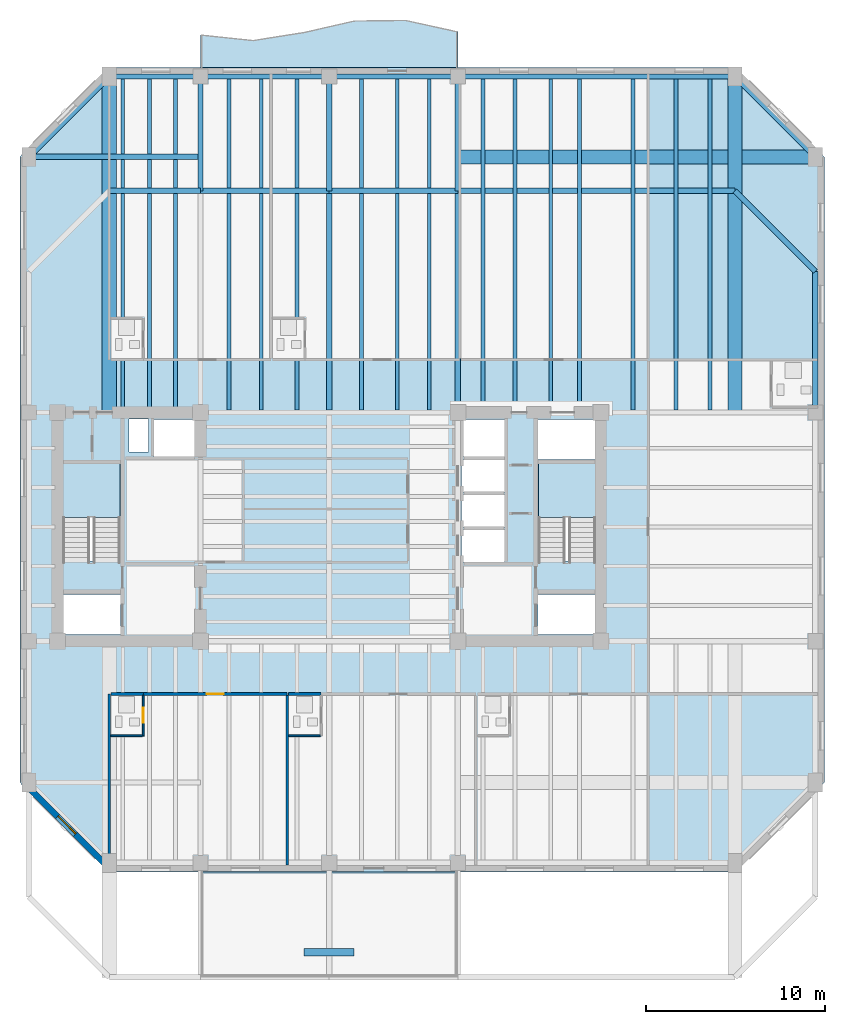
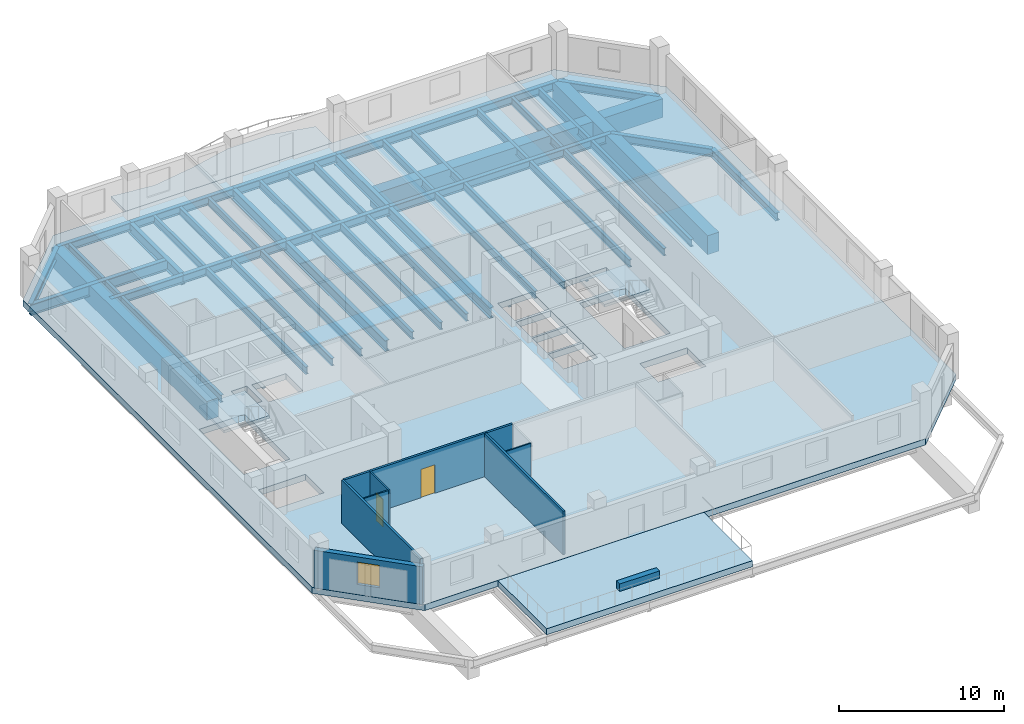
# One storey, part 2 of 10: 37 beams, 10 walls, 5 slabs, 2 doors, 1 window, 3 openings, 2 elements without a shape of their own.
"""IFC4 building model written with IfcOpenShell, lengths in metres."""

import ifcopenshell
import ifcopenshell.guid

model = None  # the IFC model being written
_history = None  # IfcOwnerHistory: only IFC2X3 demands one
_inside = {}  # id of a spatial element -> (the spatial element, [elements in it])
_under = {}  # id of a project, library or spatial element -> (it, [spatial elements below it])
_declared = {}  # id of a project -> (the project, [libraries it declares])
_typed = {}  # id of a type object -> (the type object, [elements of that type])
_made_of = {}  # id of a material, layer set ... -> (it, [elements and type objects made of it])


def new_model(schema):
    """Start an empty IFC model of exactly this schema.

    Asked for "IFC4X3", IfcOpenShell would pick the latest addendum, in which some entities
    have other attributes; the version numbers below select the first issue.
    IFC2X3 requires an IfcOwnerHistory on every rooted entity: one is made here for all.
    """
    global model, _history
    if schema == "IFC4X3":
        model = ifcopenshell.file(schema_version=(4, 3, 0, 0))
    else:
        model = ifcopenshell.file(schema=schema)
    _inside.clear()
    _under.clear()
    _declared.clear()
    _typed.clear()
    _made_of.clear()
    _history = None
    if model.schema == "IFC2X3":
        org = make("IfcOrganization", Name="unknown")
        user = make(
            "IfcPersonAndOrganization",
            ThePerson=make("IfcPerson", FamilyName="unknown"),
            TheOrganization=org,
        )
        app = make(
            "IfcApplication",
            ApplicationDeveloper=org,
            Version="unknown",
            ApplicationFullName="unknown",
            ApplicationIdentifier="unknown",
        )
        _history = make(
            "IfcOwnerHistory",
            OwningUser=user,
            OwningApplication=app,
            ChangeAction="ADDED",
            CreationDate=0,
        )
    return model


def make(cls, **values):
    """One entity of the class cls with the attributes given. An attribute that is None is left unset."""
    return model.create_entity(
        cls, **{name: value for name, value in values.items() if value is not None}
    )


def rooted(cls, **values):
    """An entity with a GlobalId (a new one), such as an element, a storey or a relation."""
    return make(cls, GlobalId=ifcopenshell.guid.new(), OwnerHistory=_history, **values)


def si_unit(unit_type, name, prefix=None):
    """IfcSIUnit, for example si_unit("LENGTHUNIT", "METRE", prefix="MILLI")."""
    return make("IfcSIUnit", UnitType=unit_type, Prefix=prefix, Name=name)


def assignment(units):
    """IfcUnitAssignment: the units of a project."""
    return None if units is None else make("IfcUnitAssignment", Units=units)


def point(xyz):
    """IfcCartesianPoint."""
    return None if xyz is None else make("IfcCartesianPoint", Coordinates=xyz)


def direction(xyz):
    """IfcDirection."""
    return None if xyz is None else make("IfcDirection", DirectionRatios=xyz)


def frame(location, z_axis=None, x_axis=None):
    """IfcAxis2Placement3D, a coordinate frame: its origin and axes. An axis left out is left unset."""
    return make(
        "IfcAxis2Placement3D",
        Location=point(location),
        Axis=direction(z_axis),
        RefDirection=direction(x_axis),
    )


def frame_2d(location, x_axis=None):
    """IfcAxis2Placement2D, a coordinate frame in the plane: its origin and x axis."""
    return make(
        "IfcAxis2Placement2D", Location=point(location), RefDirection=direction(x_axis)
    )


def origin():
    """The frame at (0, 0, 0) with its axes left unset."""
    return frame((0.0, 0.0, 0.0))


def origin_2d():
    """The frame at (0, 0) in the plane with its x axis left unset."""
    return frame_2d((0.0, 0.0))


def place(relative_to, where):
    """IfcLocalPlacement: puts the frame where relative to a parent placement (None: the world)."""
    return make(
        "IfcLocalPlacement", PlacementRelTo=relative_to, RelativePlacement=where
    )


def context(
    kind, dimensions, precision=None, world=None, true_north=None, identifier=None
):
    """IfcGeometricRepresentationContext, for example the 3D "Model" context."""
    return make(
        "IfcGeometricRepresentationContext",
        ContextIdentifier=identifier,
        ContextType=kind,
        CoordinateSpaceDimension=dimensions,
        Precision=precision,
        WorldCoordinateSystem=world,
        TrueNorth=true_north,
    )


def subcontext(parent, identifier, kind, view, scale=None):
    """IfcGeometricRepresentationSubContext, for example "Body" below "Model"."""
    return make(
        "IfcGeometricRepresentationSubContext",
        ContextIdentifier=identifier,
        ContextType=kind,
        ParentContext=parent,
        TargetScale=scale,
        TargetView=view,
    )


def project(units=None, contexts=None):
    """IfcProject with its units and contexts."""
    return rooted(
        "IfcProject",
        Name="project",
        RepresentationContexts=contexts,
        UnitsInContext=assignment(units),
    )


def spatial(cls, under=None, at=None, **own):
    """A site, building, storey or space (cls), placed at a placement, below another one or the project."""
    s = rooted(cls, ObjectPlacement=at, **own)
    if under is not None:
        _under.setdefault(under.id(), (under, []))[1].append(s)
    return s


def polyline(points):
    """IfcPolyline through the points."""
    return make("IfcPolyline", Points=[point(p) for p in points])


def profile(cls, at=None, kind="AREA", **sizes):
    """A parametric profile (cls). Its sizes go by their IFC names, for example OverallWidth=200.0."""
    return make(cls, ProfileType=kind, Position=at, **sizes)


def rectangle(**sizes):
    """IfcRectangleProfileDef."""
    return profile("IfcRectangleProfileDef", **sizes)


def i_section(**sizes):
    """IfcIShapeProfileDef."""
    return profile("IfcIShapeProfileDef", **sizes)


def outline(outer, holes=None, kind="AREA"):
    """IfcArbitraryClosedProfileDef: a profile drawn as a closed curve; with holes, ...WithVoids."""
    if holes is None:
        return make("IfcArbitraryClosedProfileDef", ProfileType=kind, OuterCurve=outer)
    return make(
        "IfcArbitraryProfileDefWithVoids",
        ProfileType=kind,
        OuterCurve=outer,
        InnerCurves=holes,
    )


def extrude(swept, where, along, depth):
    """IfcExtrudedAreaSolid: the profile swept, set in the frame where, extruded along a direction by depth."""
    return make(
        "IfcExtrudedAreaSolid",
        SweptArea=swept,
        Position=where,
        ExtrudedDirection=direction(along),
        Depth=depth,
    )


def shape(context_of_items, identifier, shape_type, items):
    """IfcShapeRepresentation: the items that make up one representation, for example the "Body"."""
    return make(
        "IfcShapeRepresentation",
        ContextOfItems=context_of_items,
        RepresentationIdentifier=identifier,
        RepresentationType=shape_type,
        Items=items,
    )


def material(Name=None, Category=None):
    """IfcMaterial."""
    return make("IfcMaterial", Name=Name, Category=Category)


def layer(
    of_material, thickness, ventilated=None, Name=None, Category=None, Priority=None
):
    """IfcMaterialLayer: one layer of a wall or slab, of a material (None: an air gap)."""
    return make(
        "IfcMaterialLayer",
        Material=of_material,
        LayerThickness=thickness,
        IsVentilated=ventilated,
        Name=Name,
        Category=Category,
        Priority=Priority,
    )


def layer_set(layers, Name=None):
    """IfcMaterialLayerSet."""
    return make("IfcMaterialLayerSet", MaterialLayers=layers, LayerSetName=Name)


def material_profile(
    of_material, cross_section, Name=None, Category=None, Priority=None
):
    """IfcMaterialProfile: a cross section and its material."""
    return make(
        "IfcMaterialProfile",
        Name=Name,
        Material=of_material,
        Profile=cross_section,
        Priority=Priority,
        Category=Category,
    )


def profile_set(profiles, Name=None, composite=None):
    """IfcMaterialProfileSet."""
    return make(
        "IfcMaterialProfileSet",
        Name=Name,
        MaterialProfiles=profiles,
        CompositeProfile=composite,
    )


def made_of(thing, what):
    """Note that an element or type object is made of a material, layer set ...; save() writes the relation."""
    if what is not None:
        _made_of.setdefault(what.id(), (what, []))[1].append(thing)
    return thing


def type_object(cls, material=None, **own):
    """A type object (cls), such as IfcWallType, which elements share."""
    return made_of(rooted(cls, **own), material)


def element(
    cls,
    number,
    at=None,
    inside=None,
    cuts=None,
    type_object=None,
    material=None,
    context=None,
    identifier="Body",
    shape_type=None,
    held_by="IfcProductDefinitionShape",
    body=None,
    shapes=None,
    **own,
):
    """One element of the class cls, such as IfcWall. Its Tag is "e" and its number.

    at: its placement. inside: the storey or other place that contains it. cuts: it is an
    opening in that element (IfcRelVoidsElement). A single representation is given by context,
    identifier, shape_type and body (its items); several are given by shapes. held_by: the class
    of the entity that holds the representations. save() writes the other relations.
    """
    e = rooted(cls, Tag="e%d" % number, ObjectPlacement=at, **own)
    if body is not None:
        shapes = [shape(context, identifier, shape_type, body)]
    if shapes is not None:
        e.Representation = make(held_by, Representations=shapes)
    if inside is not None:
        _inside.setdefault(inside.id(), (inside, []))[1].append(e)
    if cuts is not None:
        rooted(
            "IfcRelVoidsElement", RelatingBuildingElement=cuts, RelatedOpeningElement=e
        )
    if type_object is not None:
        _typed.setdefault(type_object.id(), (type_object, []))[1].append(e)
    return made_of(e, material)


def fill(opening, filler):
    """IfcRelFillsElement: the door or window that sits in an opening."""
    return rooted(
        "IfcRelFillsElement",
        RelatingOpeningElement=opening,
        RelatedBuildingElement=filler,
    )


def aggregate(whole, parts):
    """IfcRelAggregates: a whole, such as a stair, and the parts it consists of."""
    return rooted("IfcRelAggregates", RelatingObject=whole, RelatedObjects=parts)


def save(model, path):
    """Write the relations noted so far, then the file.

    IfcRelAggregates (storeys below a building ...), IfcRelContainedInSpatialStructure (elements
    in a storey), IfcRelDefinesByType, IfcRelAssociatesMaterial and IfcRelDeclares: one each for
    every whole, place, type object, material and project.
    """
    for whole, parts in _under.values():
        aggregate(whole, parts)
    for where, things in _inside.values():
        rooted(
            "IfcRelContainedInSpatialStructure",
            RelatedElements=things,
            RelatingStructure=where,
        )
    for kind, things in _typed.values():
        rooted("IfcRelDefinesByType", RelatedObjects=things, RelatingType=kind)
    for what, things in _made_of.values():
        rooted("IfcRelAssociatesMaterial", RelatedObjects=things, RelatingMaterial=what)
    for by, libraries in _declared.values():
        rooted("IfcRelDeclares", RelatingContext=by, RelatedDefinitions=libraries)
    model.write(path)


model = new_model("IFC4")

# Units and contexts
model_context = context("Model", 3, precision=1e-05, world=origin(), true_north=direction((0.0, 1.0)))
body_context = subcontext(model_context, "Body", "Model", "MODEL_VIEW")
ifc_project = project(units=[si_unit("LENGTHUNIT", "METRE"), si_unit("AREAUNIT", "SQUARE_METRE"), si_unit("VOLUMEUNIT", "CUBIC_METRE"), si_unit("PLANEANGLEUNIT", "RADIAN"), si_unit("MASSUNIT", "GRAM", prefix="KILO")], contexts=[model_context])

# Site, building, storey
site_placement = place(None, origin())
site = spatial("IfcSite", under=ifc_project, at=site_placement, CompositionType="ELEMENT")
building_placement = place(site_placement, origin())
building = spatial("IfcBuilding", under=site, at=building_placement, Name="Kranthara Brick Stack", CompositionType="ELEMENT")
storey_placement = place(building_placement, frame((0.0, 0.0, 162.300048828125)))
storey = spatial("IfcBuildingStorey", under=building, at=storey_placement, Name="L41", CompositionType="ELEMENT", Elevation=162.300048828125)

# Beams
ifc_material_1 = material(Name="Steel S355", Category="steel")
ifc_material_profile_1 = material_profile(ifc_material_1, i_section(OverallWidth=0.2099609375, OverallDepth=0.550048828125, WebThickness=0.010986328125, FlangeThickness=0.01708984375, at=origin_2d()), Name="IPE 550")
ifc_profile_set_1 = profile_set([ifc_material_profile_1], Name="Steel S355")
beam_type_1 = type_object("IfcBeamType", Name="BM-JST-IPE550", PredefinedType="JOIST", material=ifc_profile_set_1)
for number, where, z_axis, x_axis, name in (
    (1, (16.449951171875, 33.75, -0.72509765625), (0.0, 1.0, 0.0), (-1.0, 0.0, 0.0), "L41 North Wing Floor Joist 076"),
    (2, (17.949951171875, 33.75, -0.72509765625), (0.0, 1.0, 0.0), (-1.0, 0.0, 0.0), "L41 North Wing Floor Joist 078"),
    (3, (19.39990234375, 33.75, -0.72509765625), (0.0, 1.0, 0.0), (-1.0, 0.0, 0.0), "L41 North Wing Floor Joist 080"),
    (4, (22.39990234375, 33.75, -0.72509765625), (0.0, 1.0, 0.0), (-1.0, 0.0, 0.0), "L41 North Wing Floor Joist 082"),
    (5, (24.199951171875, 33.75, -0.72509765625), (0.0, 1.0, 0.0), (-1.0, 0.0, 0.0), "L41 North Wing Floor Joist 084"),
    (6, (26.199951171875, 33.75, -0.72509765625), (0.0, 1.0, 0.0), (-1.0, 0.0, 0.0), "L41 North Wing Floor Joist 086"),
    (7, (29.800048828125, 33.75, -0.72509765625), (0.0, 1.0, 0.0), (-1.0, 0.0, 0.0), "L41 North Wing Floor Joist 088"),
    (8, (31.800048828125, 33.75, -0.72509765625), (0.0, 1.0, 0.0), (-1.0, 0.0, 0.0), "L41 North Wing Floor Joist 090"),
    (9, (33.60009765625, 33.75, -0.72509765625), (0.0, 1.0, 0.0), (-1.0, 0.0, 0.0), "L41 North Wing Floor Joist 092"),
    (10, (36.60009765625, 33.75, -0.72509765625), (0.0, 1.0, 0.0), (-1.0, 0.0, 0.0), "L41 North Wing Floor Joist 094"),
    (11, (38.39990234375, 33.75, -0.72509765625), (0.0, 1.0, 0.0), (-1.0, 0.0, 0.0), "L41 North Wing Floor Joist 096"),
    (12, (40.39990234375, 33.75, -0.72509765625), (0.0, 1.0, 0.0), (-1.0, 0.0, 0.0), "L41 North Wing Floor Joist 098"),
    (13, (42.0, 33.75, -0.72509765625), (0.0, 1.0, 0.0), (-1.0, 0.0, 0.0), "L41 North Wing Floor Joist 100"),
    (14, (45.0, 33.75, -0.72509765625), (0.0, 1.0, 0.0), (-1.0, 0.0, 0.0), "L41 North Wing Floor Joist 102"),
    (15, (47.39990234375, 33.75, -0.72509765625), (0.0, 1.0, 0.0), (-1.0, 0.0, 0.0), "L41 North Wing Floor Joist 104"),
    (16, (49.300048828125, 33.75, -0.72509765625), (0.0, 1.0, 0.0), (-1.0, 0.0, 0.0), "L41 North Wing Floor Joist 106"),
):
    element("IfcBeam", number, at=place(storey_placement, frame(where, z_axis=z_axis, x_axis=x_axis)), inside=storey, type_object=beam_type_1, Name=name, PredefinedType="JOIST", context=body_context, shape_type="SweptSolid", body=[
        extrude(i_section(OverallWidth=0.2099609375, OverallDepth=0.550048828125, WebThickness=0.010986328125, FlangeThickness=0.01708984375, at=origin_2d()), origin(), (0.0, 0.0, 1.0), 18.5),
    ])
ifc_material_2 = material(Name="Steel S355", Category="steel")
ifc_material_profile_2 = material_profile(ifc_material_2, i_section(OverallWidth=0.300048828125, OverallDepth=0.60009765625, WebThickness=0.015380859375, FlangeThickness=0.030029296875, at=origin_2d()), Name="HEB 600")
ifc_profile_set_2 = profile_set([ifc_material_profile_2], Name="Steel S355")
beam_type_2 = type_object("IfcBeamType", Name="BM-STL-HEB600", PredefinedType="BEAM", material=ifc_profile_set_2)
beam_1_placement = place(storey_placement, frame((15.699951171875, 46.0, -0.75), z_axis=(1.0, 0.0, 0.0), x_axis=(0.0, 1.0, 0.0)))
element("IfcBeam", 17, at=beam_1_placement, inside=storey, type_object=beam_type_2, Name="L41 Perimeter Spandrel Beam 009", PredefinedType="BEAM", context=body_context, shape_type="SweptSolid", body=[
    extrude(i_section(OverallWidth=0.300048828125, OverallDepth=0.60009765625, WebThickness=0.015380859375, FlangeThickness=0.030029296875, at=origin_2d()), origin(), (0.0, 0.0, 1.0), 5.10009765625),
])
for number, where, z_axis, x_axis, name in (
    (18, (20.800048828125, 46.0, -0.75), (1.0, 0.0, 0.0), (0.0, 1.0, 0.0), "L41 Perimeter Spandrel Beam 010"),
    (19, (28.0, 46.0, -0.75), (1.0, 0.0, 0.0), (0.0, 1.0, 0.0), "L41 Perimeter Spandrel Beam 011"),
):
    element("IfcBeam", number, at=place(storey_placement, frame(where, z_axis=z_axis, x_axis=x_axis)), inside=storey, type_object=beam_type_2, Name=name, PredefinedType="BEAM", context=body_context, shape_type="SweptSolid", body=[
        extrude(i_section(OverallWidth=0.300048828125, OverallDepth=0.60009765625, WebThickness=0.015380859375, FlangeThickness=0.030029296875, at=origin_2d()), origin(), (0.0, 0.0, 1.0), 7.199951171875),
    ])
beam_2_placement = place(storey_placement, frame((35.199951171875, 46.0, -0.75), z_axis=(1.0, 0.0, 0.0), x_axis=(0.0, 1.0, 0.0)))
element("IfcBeam", 20, at=beam_2_placement, inside=storey, type_object=beam_type_2, Name="L41 Perimeter Spandrel Beam 012", PredefinedType="BEAM", context=body_context, shape_type="SweptSolid", body=[
    extrude(i_section(OverallWidth=0.300048828125, OverallDepth=0.60009765625, WebThickness=0.015380859375, FlangeThickness=0.030029296875, at=origin_2d()), origin(), (0.0, 0.0, 1.0), 15.5),
])
beam_3_placement = place(storey_placement, frame((55.199951171875, 33.60009765625, -0.75), z_axis=(0.0, 1.0, 0.0), x_axis=(-1.0, 0.0, 0.0)))
element("IfcBeam", 21, at=beam_3_placement, inside=storey, type_object=beam_type_2, Name="L41 Perimeter Spandrel Beam 018", PredefinedType="BEAM", context=body_context, shape_type="SweptSolid", body=[
    extrude(i_section(OverallWidth=0.300048828125, OverallDepth=0.60009765625, WebThickness=0.015380859375, FlangeThickness=0.030029296875, at=origin_2d()), origin(), (0.0, 0.0, 1.0), 7.89990234375),
])
beam_4_placement = place(storey_placement, frame((50.699951171875, 46.0, -0.75), z_axis=(0.707106781187, -0.707106781187, 0.0), x_axis=(0.707106781187, 0.707106781187, 0.0)))
element("IfcBeam", 22, at=beam_4_placement, inside=storey, type_object=beam_type_2, Name="L41 Chamfer Corner Spandrel 022", PredefinedType="BEAM", context=body_context, shape_type="SweptSolid", body=[
    extrude(i_section(OverallWidth=0.300048828125, OverallDepth=0.60009765625, WebThickness=0.015380859375, FlangeThickness=0.030029296875, at=origin_2d()), origin(), (0.0, 0.0, 1.0), 6.364013671875),
])
beam_5_placement = place(storey_placement, frame((15.699951171875, 52.39990234375, -0.75), z_axis=(1.0, 0.0, 0.0), x_axis=(0.0, 1.0, 0.0)))
element("IfcBeam", 23, at=beam_5_placement, inside=storey, type_object=beam_type_2, Name="L41 Perimeter Spandrel Beam 027", PredefinedType="BEAM", context=body_context, shape_type="SweptSolid", body=[
    extrude(i_section(OverallWidth=0.300048828125, OverallDepth=0.60009765625, WebThickness=0.015380859375, FlangeThickness=0.030029296875, at=origin_2d()), origin(), (0.0, 0.0, 1.0), 5.10009765625),
])
for number, where, z_axis, x_axis, name in (
    (24, (20.800048828125, 52.39990234375, -0.75), (1.0, 0.0, 0.0), (0.0, 1.0, 0.0), "L41 Perimeter Spandrel Beam 028"),
    (25, (28.0, 52.39990234375, -0.75), (1.0, 0.0, 0.0), (0.0, 1.0, 0.0), "L41 Perimeter Spandrel Beam 029"),
):
    element("IfcBeam", number, at=place(storey_placement, frame(where, z_axis=z_axis, x_axis=x_axis)), inside=storey, type_object=beam_type_2, Name=name, PredefinedType="BEAM", context=body_context, shape_type="SweptSolid", body=[
        extrude(i_section(OverallWidth=0.300048828125, OverallDepth=0.60009765625, WebThickness=0.015380859375, FlangeThickness=0.030029296875, at=origin_2d()), origin(), (0.0, 0.0, 1.0), 7.199951171875),
    ])
beam_6_placement = place(storey_placement, frame((35.199951171875, 52.39990234375, -0.75), z_axis=(1.0, 0.0, 0.0), x_axis=(0.0, 1.0, 0.0)))
element("IfcBeam", 26, at=beam_6_placement, inside=storey, type_object=beam_type_2, Name="L41 Perimeter Spandrel Beam 030", PredefinedType="BEAM", context=body_context, shape_type="SweptSolid", body=[
    extrude(i_section(OverallWidth=0.300048828125, OverallDepth=0.60009765625, WebThickness=0.015380859375, FlangeThickness=0.030029296875, at=origin_2d()), origin(), (0.0, 0.0, 1.0), 15.5),
])
for number, where, z_axis, x_axis, name in (
    (27, (15.699951171875, 52.39990234375, -0.75), (-0.707106781187, -0.707106781187, 0.0), (0.707106781187, -0.707106781187, 0.0), "L41 Chamfer Corner Spandrel 033"),
    (28, (50.699951171875, 52.39990234375, -0.75), (0.707106781187, -0.707106781187, 0.0), (0.707106781187, 0.707106781187, 0.0), "L41 Chamfer Corner Spandrel 034"),
):
    element("IfcBeam", number, at=place(storey_placement, frame(where, z_axis=z_axis, x_axis=x_axis)), inside=storey, type_object=beam_type_2, Name=name, PredefinedType="BEAM", context=body_context, shape_type="SweptSolid", body=[
        extrude(i_section(OverallWidth=0.300048828125, OverallDepth=0.60009765625, WebThickness=0.015380859375, FlangeThickness=0.030029296875, at=origin_2d()), origin(), (0.0, 0.0, 1.0), 6.364013671875),
    ])
ifc_material_3 = material(Name="Steel S355", Category="steel")
ifc_material_profile_3 = material_profile(ifc_material_3, i_section(OverallWidth=0.300048828125, OverallDepth=0.800048828125, WebThickness=0.017578125, FlangeThickness=0.032958984375, at=origin_2d()), Name="HEB 800")
ifc_profile_set_3 = profile_set([ifc_material_profile_3], Name="Steel S355")
beam_type_3 = type_object("IfcBeamType", Name="BM-TR-HEB800", PredefinedType="BEAM", material=ifc_profile_set_3)
beam_7_placement = place(storey_placement, frame((20.800048828125, 46.0, -0.85009765625), z_axis=(0.0, 1.0, 0.0), x_axis=(-1.0, 0.0, 0.0)))
element("IfcBeam", 29, at=beam_7_placement, inside=storey, type_object=beam_type_3, Name="L41 Primary Grid Girder 037", PredefinedType="BEAM", context=body_context, shape_type="SweptSolid", body=[
    extrude(i_section(OverallWidth=0.300048828125, OverallDepth=0.800048828125, WebThickness=0.017578125, FlangeThickness=0.032958984375, at=origin_2d()), origin(), (0.0, 0.0, 1.0), 6.39990234375),
])
beam_8_placement = place(storey_placement, frame((28.0, 33.75, -0.85009765625), z_axis=(0.0, 1.0, 0.0), x_axis=(-1.0, 0.0, 0.0)))
element("IfcBeam", 30, at=beam_8_placement, inside=storey, type_object=beam_type_3, Name="L41 Primary Grid Girder 040", PredefinedType="BEAM", context=body_context, shape_type="SweptSolid", body=[
    extrude(i_section(OverallWidth=0.300048828125, OverallDepth=0.800048828125, WebThickness=0.017578125, FlangeThickness=0.032958984375, at=origin_2d()), origin(), (0.0, 0.0, 1.0), 12.25),
])
beam_9_placement = place(storey_placement, frame((28.0, 46.0, -0.85009765625), z_axis=(0.0, 1.0, 0.0), x_axis=(-1.0, 0.0, 0.0)))
element("IfcBeam", 31, at=beam_9_placement, inside=storey, type_object=beam_type_3, Name="L41 Primary Grid Girder 041", PredefinedType="BEAM", context=body_context, shape_type="SweptSolid", body=[
    extrude(i_section(OverallWidth=0.300048828125, OverallDepth=0.800048828125, WebThickness=0.017578125, FlangeThickness=0.032958984375, at=origin_2d()), origin(), (0.0, 0.0, 1.0), 6.39990234375),
])
beam_10_placement = place(storey_placement, frame((35.199951171875, 33.60009765625, -0.85009765625), z_axis=(0.0, 1.0, 0.0), x_axis=(-1.0, 0.0, 0.0)))
element("IfcBeam", 32, at=beam_10_placement, inside=storey, type_object=beam_type_3, Name="L41 Primary Grid Girder 043", PredefinedType="BEAM", context=body_context, shape_type="SweptSolid", body=[
    extrude(i_section(OverallWidth=0.300048828125, OverallDepth=0.800048828125, WebThickness=0.017578125, FlangeThickness=0.032958984375, at=origin_2d()), origin(), (0.0, 0.0, 1.0), 12.39990234375),
])
beam_11_placement = place(storey_placement, frame((35.199951171875, 46.0, -0.85009765625), z_axis=(0.0, 1.0, 0.0), x_axis=(-1.0, 0.0, 0.0)))
element("IfcBeam", 33, at=beam_11_placement, inside=storey, type_object=beam_type_3, Name="L41 Primary Grid Girder 044", PredefinedType="BEAM", context=body_context, shape_type="SweptSolid", body=[
    extrude(i_section(OverallWidth=0.300048828125, OverallDepth=0.800048828125, WebThickness=0.017578125, FlangeThickness=0.032958984375, at=origin_2d()), origin(), (0.0, 0.0, 1.0), 6.39990234375),
])
beam_12_placement = place(storey_placement, frame((11.199951171875, 47.89990234375, -0.85009765625), z_axis=(1.0, 0.0, 0.0), x_axis=(0.0, 1.0, 0.0)))
element("IfcBeam", 34, at=beam_12_placement, inside=storey, type_object=beam_type_3, Name="L41 Transfer Tie Girder 055", PredefinedType="BEAM", context=body_context, shape_type="SweptSolid", body=[
    extrude(i_section(OverallWidth=0.300048828125, OverallDepth=0.800048828125, WebThickness=0.017578125, FlangeThickness=0.032958984375, at=origin_2d()), origin(), (0.0, 0.0, 1.0), 9.60009765625),
])
ifc_material_4 = material(Name="Post-tensioned concrete C50/60", Category="concrete")
ifc_material_profile_4 = material_profile(ifc_material_4, rectangle(XDim=0.800048828125, YDim=1.39990234375, at=origin_2d()), Name="PT 800x1400")
ifc_profile_set_4 = profile_set([ifc_material_profile_4], Name="Post-tensioned concrete C50/60")
beam_type_4 = type_object("IfcBeamType", Name="BM-TR-PT1400", PredefinedType="T_BEAM", material=ifc_profile_set_4)
for number, where, z_axis, x_axis, name in (
    (35, (15.699951171875, 52.39990234375, -1.150146484375), (0.0, -1.0, 0.0), (1.0, 0.0, 0.0), "L41 Transfer Tie Girder 050"),
    (36, (50.699951171875, 52.39990234375, -1.150146484375), (0.0, -1.0, 0.0), (1.0, 0.0, 0.0), "L41 Transfer Tie Girder 052"),
):
    element("IfcBeam", number, at=place(storey_placement, frame(where, z_axis=z_axis, x_axis=x_axis)), inside=storey, type_object=beam_type_4, Name=name, PredefinedType="T_BEAM", context=body_context, shape_type="SweptSolid", body=[
        extrude(rectangle(XDim=0.800048828125, YDim=1.39990234375, at=origin_2d()), origin(), (0.0, 0.0, 1.0), 18.7998046875),
    ])
beam_13_placement = place(storey_placement, frame((55.199951171875, 47.89990234375, -1.150146484375), z_axis=(-1.0, 0.0, 0.0), x_axis=(0.0, -1.0, 0.0)))
element("IfcBeam", 37, at=beam_13_placement, inside=storey, type_object=beam_type_4, Name="L41 Transfer Tie Girder 056", PredefinedType="T_BEAM", context=body_context, shape_type="SweptSolid", body=[
    extrude(rectangle(XDim=0.800048828125, YDim=1.39990234375, at=origin_2d()), origin(), (0.0, 0.0, 1.0), 20.0),
])

# Slab
ifc_material_5 = material(Name="Concrete C45/55", Category="concrete")
ifc_layer_1 = layer(ifc_material_5, 0.219970703125)
ifc_layer_set_1 = layer_set([ifc_layer_1], Name="Concrete C45/55")
slab_type_1 = type_object("IfcSlabType", Name="SLB-BALC-220", PredefinedType="FLOOR", material=ifc_layer_set_1)
slab_1_placement = place(storey_placement, frame((0.0, 0.0, -0.219970703125)))
element("IfcSlab", 38, at=slab_1_placement, inside=storey, type_object=slab_type_1, Name="L41 North Rippling Balcony Slab", PredefinedType="FLOOR", context=body_context, shape_type="SweptSolid", body=[
    extrude(outline(polyline([(35.199951171875, 52.89990234375), (20.800048828125, 52.89990234375), (20.800048828125, 54.71240234375), (23.679931640625, 54.406494140625), (26.56005859375, 54.878173828125), (29.43994140625, 55.53466796875), (32.320068359375, 55.550048828125), (35.199951171875, 54.9052734375), (35.199951171875, 52.89990234375)])), origin(), (0.0, 0.0, 1.0), 0.219970703125),
])

# Stair, slab
ifc_material_6 = material(Name="Concrete C45/55", Category="concrete")
stair_type = type_object("IfcStairType", Name="ST-CORE-20R", PredefinedType="HALF_TURN_STAIR", material=ifc_material_6)
stair_1_placement = place(storey_placement, origin())
stair_1 = element("IfcStair", 39, at=stair_1_placement, inside=storey, type_object=stair_type, Name="L41 West Core Protected Exit Stair ST01", PredefinedType="HALF_TURN_STAIR")
ifc_material_7 = material(Name="Concrete C45/55", Category="concrete")
ifc_layer_2 = layer(ifc_material_7, 0.199951171875)
ifc_layer_set_2 = layer_set([ifc_layer_2], Name="Concrete C45/55")
slab_type_2 = type_object("IfcSlabType", Name="SLB-LANDING-200", PredefinedType="LANDING", material=ifc_layer_set_2)
slab_2_placement = place(storey_placement, frame((0.0, 0.0, 1.550048828125)))
slab_2 = element("IfcSlab", 40, at=slab_2_placement, type_object=slab_type_2, Name="ST01 landing 1", PredefinedType="LANDING", context=body_context, shape_type="SweptSolid", body=[
    extrude(outline(polyline([(16.300048828125, 27.719970703125), (16.300048828125, 30.75), (13.10009765625, 30.75), (13.10009765625, 27.719970703125), (16.300048828125, 27.719970703125)])), origin(), (0.0, 0.0, 1.0), 0.199951171875),
])
aggregate(stair_1, [slab_2])

stair_2_placement = place(storey_placement, origin())
stair_2 = element("IfcStair", 41, at=stair_2_placement, inside=storey, type_object=stair_type, Name="L41 East Core Protected Exit Stair ST02", PredefinedType="HALF_TURN_STAIR")
slab_3_placement = place(storey_placement, frame((0.0, 0.0, 1.550048828125)))
slab_3 = element("IfcSlab", 42, at=slab_3_placement, type_object=slab_type_2, Name="ST02 landing 1", PredefinedType="LANDING", context=body_context, shape_type="SweptSolid", body=[
    extrude(outline(polyline([(42.89990234375, 27.719970703125), (42.89990234375, 30.75), (39.699951171875, 30.75), (39.699951171875, 27.719970703125), (42.89990234375, 27.719970703125)])), origin(), (0.0, 0.0, 1.0), 0.199951171875),
])
aggregate(stair_2, [slab_3])

# Slabs
ifc_material_8 = material(Name="Concrete C45/55", Category="concrete")
ifc_layer_3 = layer(ifc_material_8, 0.449951171875)
ifc_layer_set_3 = layer_set([ifc_layer_3], Name="Concrete C45/55")
slab_type_3 = type_object("IfcSlabType", Name="SLB-TERR-450", PredefinedType="ROOF", material=ifc_layer_set_3)
slab_4_placement = place(storey_placement, frame((0.0, 0.0, -0.449951171875)))
element("IfcSlab", 43, at=slab_4_placement, inside=storey, type_object=slab_type_3, Name="L41 South Planted Sky Garden", PredefinedType="ROOF", context=body_context, shape_type="SweptSolid", body=[
    extrude(outline(polyline([(20.800048828125, 2.0), (35.199951171875, 2.0), (35.199951171875, 7.89990234375), (20.800048828125, 7.89990234375), (20.800048828125, 2.0)])), origin(), (0.0, 0.0, 1.0), 0.449951171875),
])
ifc_material_9 = material(Name="Post-tensioned concrete C50/60", Category="concrete")
ifc_layer_4 = layer(ifc_material_9, 0.449951171875)
ifc_layer_set_4 = layer_set([ifc_layer_4], Name="Post-tensioned concrete C50/60")
slab_type_4 = type_object("IfcSlabType", Name="SLB-TRANS-450", PredefinedType="FLOOR", material=ifc_layer_set_4)
slab_5_placement = place(storey_placement, frame((0.0, 0.0, -0.449951171875)))
element("IfcSlab", 44, at=slab_5_placement, inside=storey, type_object=slab_type_4, Name="L41 Structural Floor Plate", PredefinedType="FLOOR", context=body_context, shape_type="SweptSolid", body=[
    extrude(outline(polyline([(15.699951171875, 7.89990234375), (50.699951171875, 7.89990234375), (55.699951171875, 12.89990234375), (55.699951171875, 47.89990234375), (50.699951171875, 52.89990234375), (15.699951171875, 52.89990234375), (10.699951171875, 47.89990234375), (10.699951171875, 12.89990234375), (15.699951171875, 7.89990234375)]), holes=[polyline([(13.10009765625, 25.280029296875), (16.300048828125, 25.280029296875), (16.300048828125, 30.75), (13.10009765625, 30.75), (13.10009765625, 25.280029296875)]), polyline([(39.699951171875, 25.280029296875), (42.89990234375, 25.280029296875), (42.89990234375, 30.75), (39.699951171875, 30.75), (39.699951171875, 25.280029296875)]), polyline([(13.0, 21.179931640625), (16.320068359375, 21.179931640625), (16.320068359375, 23.419921875), (13.0, 23.419921875), (13.0, 21.179931640625)]), polyline([(39.679931640625, 21.179931640625), (43.0, 21.179931640625), (43.0, 23.419921875), (39.679931640625, 23.419921875), (39.679931640625, 21.179931640625)]), polyline([(39.679931640625, 30.97998046875), (43.0, 30.97998046875), (43.0, 33.219970703125), (39.679931640625, 33.219970703125), (39.679931640625, 30.97998046875)]), polyline([(35.39990234375, 25.25), (37.800048828125, 25.25), (37.800048828125, 27.050048828125), (35.39990234375, 27.050048828125), (35.39990234375, 25.25)]), polyline([(35.39990234375, 27.199951171875), (37.800048828125, 27.199951171875), (37.800048828125, 29.0), (35.39990234375, 29.0), (35.39990234375, 27.199951171875)]), polyline([(35.39990234375, 29.14990234375), (37.800048828125, 29.14990234375), (37.800048828125, 30.949951171875), (35.39990234375, 30.949951171875), (35.39990234375, 29.14990234375)]), polyline([(18.199951171875, 31.14990234375), (20.60009765625, 31.14990234375), (20.60009765625, 33.219970703125), (18.199951171875, 33.219970703125), (18.199951171875, 31.14990234375)]), polyline([(35.39990234375, 31.14990234375), (37.800048828125, 31.14990234375), (37.800048828125, 33.219970703125), (35.39990234375, 33.219970703125), (35.39990234375, 31.14990234375)]), polyline([(16.800048828125, 31.39990234375), (17.89990234375, 31.39990234375), (17.89990234375, 33.25), (16.800048828125, 33.25), (16.800048828125, 31.39990234375)])]), origin(), (0.0, 0.0, 1.0), 0.449951171875),
])

# Wall, opening, window
ifc_material_10 = material(Name="Kiln-fired clay brick masonry M15", Category="masonry")
ifc_layer_5 = layer(ifc_material_10, 0.35009765625)
ifc_layer_set_5 = layer_set([ifc_layer_5], Name="Kiln-fired clay brick masonry M15")
wall_type_1 = type_object("IfcWallType", Name="WL-BRK-SPND-350", PredefinedType="STANDARD", material=ifc_layer_set_5)
wall_1_placement = place(storey_placement, frame((15.699951171875, 8.094970703125, 0.0), z_axis=(0.0, 0.0, 1.0), x_axis=(-0.707106781187, 0.707106781187, 0.0)))
wall_1 = element("IfcWall", 45, at=wall_1_placement, inside=storey, type_object=wall_type_1, Name="L41 Exterior Brick Facade Wall SW 1", PredefinedType="STANDARD", context=body_context, shape_type="SweptSolid", body=[
    extrude(rectangle(XDim=6.795166015625, YDim=0.35009765625, at=frame_2d((3.3974609375, 0.0))), origin(), (0.0, 0.0, 1.0), 2.784912109375),
])
opening_1_placement = place(wall_1_placement, frame((2.697998046875, 0.0, 0.75)))
opening_1 = element("IfcOpeningElement", 46, at=opening_1_placement, cuts=wall_1, Name="Opening WN10", PredefinedType="OPENING", context=body_context, shape_type="SweptSolid", body=[
    extrude(rectangle(XDim=1.39990234375, YDim=1.64990234375, at=frame_2d((0.699951171875, 0.824951171875))), frame((0.0, 0.18505859375, 0.0), z_axis=(0.0, -1.0, 0.0), x_axis=(1.0, 0.0, 0.0)), (0.0, 0.0, 1.0), 0.3701171875),
])
ifc_material_11 = material(Name="Double-glazed low-E solar control glass", Category="glass")
window_type = type_object("IfcWindowType", Name="WN-CHM-1400x1750", PartitioningType="SINGLE_PANEL", PredefinedType="WINDOW", material=ifc_material_11)
window_placement = place(opening_1_placement, origin())
window = element("IfcWindow", 47, at=window_placement, inside=storey, type_object=window_type, Name="L41 SW Chamfer Corner Window", OverallHeight=1.64990234375, OverallWidth=1.39990234375, PartitioningType="SINGLE_PANEL", PredefinedType="WINDOW", context=body_context, shape_type="SweptSolid", body=[
    extrude(rectangle(XDim=1.39990234375, YDim=1.64990234375, at=frame_2d((0.699951171875, 0.824951171875))), frame((0.0, -0.010009765625, 0.0), z_axis=(0.0, -1.0, 0.0), x_axis=(1.0, 0.0, 0.0)), (0.0, 0.0, 1.0), 0.06005859375),
])
fill(opening_1, window)

# Wall, opening, door
ifc_material_12 = material(Name="Moisture-resistant wet-room partition", Category="other")
ifc_layer_6 = layer(ifc_material_12, 0.10009765625)
ifc_layer_set_6 = layer_set([ifc_layer_6], Name="Moisture-resistant wet-room partition")
wall_type_2 = type_object("IfcWallType", Name="WL-PART-100", PredefinedType="PARTITIONING", material=ifc_layer_set_6)
wall_2_placement = place(storey_placement, frame((17.60009765625, 15.52001953125, 0.0), z_axis=(0.0, 0.0, 1.0), x_axis=(0.0, 1.0, 0.0)))
wall_2 = element("IfcWall", 48, at=wall_2_placement, inside=storey, type_object=wall_type_2, Name="L41 Interior Partition 012", PredefinedType="PARTITIONING", context=body_context, shape_type="SweptSolid", body=[
    extrude(rectangle(XDim=2.25, YDim=0.10009765625, at=frame_2d((1.125, 0.0))), origin(), (0.0, 0.0, 1.0), 3.199951171875),
])
opening_2_placement = place(wall_2_placement, frame((0.719970703125, 0.0, 0.0)))
opening_2 = element("IfcOpeningElement", 49, at=opening_2_placement, cuts=wall_2, Name="Opening D17", PredefinedType="OPENING", context=body_context, shape_type="SweptSolid", body=[
    extrude(rectangle(XDim=0.85009765625, YDim=2.050048828125, at=frame_2d((0.425048828125, 1.02490234375))), frame((0.0, 0.06005859375, 0.0), z_axis=(0.0, -1.0, 0.0), x_axis=(1.0, 0.0, 0.0)), (0.0, 0.0, 1.0), 0.1201171875),
])
ifc_material_13 = material(Name="Solid-core hardwood timber leaf in steel frame", Category="steel")
door_type_1 = type_object("IfcDoorType", Name="DR-WET-850", OperationType="NOTDEFINED", PredefinedType="DOOR", material=ifc_material_13)
door_1_placement = place(opening_2_placement, origin())
door_1 = element("IfcDoor", 50, at=door_1_placement, inside=storey, type_object=door_type_1, Name="L41 Key 01 En-Suite Door 07", OperationType="SINGLE_SWING_LEFT", OverallHeight=2.050048828125, OverallWidth=0.85009765625, PredefinedType="DOOR", context=body_context, shape_type="SweptSolid", body=[
    extrude(rectangle(XDim=0.85009765625, YDim=2.050048828125, at=frame_2d((0.425048828125, 1.02490234375))), frame((0.0, 0.02490234375, 0.0), z_axis=(0.0, -1.0, 0.0), x_axis=(1.0, 0.0, 0.0)), (0.0, 0.0, 1.0), 0.050048828125),
])
fill(opening_2, door_1)

# Walls
for number, where, z_axis, x_axis, name in (
    (51, (15.780029296875, 15.52001953125, 0.0), (0.0, 0.0, 1.0), (1.0, 0.0, 0.0), "L41 Interior Partition 013"),
    (52, (25.72900390625, 15.52001953125, 0.0), (0.0, 0.0, 1.0), (1.0, 0.0, 0.0), "L41 Interior Partition 018"),
):
    element("IfcWall", number, at=place(storey_placement, frame(where, z_axis=z_axis, x_axis=x_axis)), inside=storey, type_object=wall_type_2, Name=name, PredefinedType="PARTITIONING", context=body_context, shape_type="SweptSolid", body=[
        extrude(rectangle(XDim=1.764892578125, YDim=0.10009765625, at=frame_2d((0.88232421875, 0.0))), origin(), (0.0, 0.0, 1.0), 3.199951171875),
    ])
ifc_material_14 = material(Name="Fire-rated gypsum board partition", Category="other")
ifc_layer_7 = layer(ifc_material_14, 0.14990234375)
ifc_layer_set_7 = layer_set([ifc_layer_7], Name="Fire-rated gypsum board partition")
wall_type_3 = type_object("IfcWallType", Name="WL-PART-150", PredefinedType="PARTITIONING", material=ifc_layer_set_7)
wall_3_placement = place(storey_placement, frame((15.699951171875, 8.27490234375, 0.0), z_axis=(0.0, 0.0, 1.0), x_axis=(0.0, 1.0, 0.0)))
element("IfcWall", 53, at=wall_3_placement, inside=storey, type_object=wall_type_3, Name="L41 Interior Partition 009", PredefinedType="PARTITIONING", context=body_context, shape_type="SweptSolid", body=[
    extrude(rectangle(XDim=9.5751953125, YDim=0.14990234375, at=frame_2d((4.78759765625, 0.0))), origin(), (0.0, 0.0, 1.0), 3.199951171875),
])
wall_4_placement = place(storey_placement, frame((15.780029296875, 17.85009765625, 0.0), z_axis=(0.0, 0.0, 1.0), x_axis=(1.0, 0.0, 0.0)))
element("IfcWall", 54, at=wall_4_placement, inside=storey, type_object=wall_type_3, Name="L41 Interior Partition 010", PredefinedType="PARTITIONING", context=body_context, shape_type="SweptSolid", body=[
    extrude(rectangle(XDim=1.820068359375, YDim=0.14990234375, at=frame_2d((0.91015625, 0.0))), origin(), (0.0, 0.0, 1.0), 3.199951171875),
])

# Wall, opening, door
wall_5_placement = place(storey_placement, frame((17.60009765625, 17.85009765625, 0.0), z_axis=(0.0, 0.0, 1.0), x_axis=(1.0, 0.0, 0.0)))
wall_5 = element("IfcWall", 55, at=wall_5_placement, inside=storey, type_object=wall_type_3, Name="L41 Interior Partition 011", PredefinedType="PARTITIONING", context=body_context, shape_type="SweptSolid", body=[
    extrude(rectangle(XDim=8.048828125, YDim=0.14990234375, at=frame_2d((4.0244140625, 0.0))), origin(), (0.0, 0.0, 1.0), 3.199951171875),
])
opening_3_placement = place(wall_5_placement, frame((3.544921875, 0.0, 0.0)))
opening_3 = element("IfcOpeningElement", 56, at=opening_3_placement, cuts=wall_5, Name="Opening D09", PredefinedType="OPENING", context=body_context, shape_type="SweptSolid", body=[
    extrude(rectangle(XDim=0.949951171875, YDim=2.10009765625, at=frame_2d((0.47509765625, 1.050048828125))), frame((0.0, 0.0849609375, 0.0), z_axis=(0.0, -1.0, 0.0), x_axis=(1.0, 0.0, 0.0)), (0.0, 0.0, 1.0), 0.169921875),
])
ifc_material_15 = material(Name="Solid-core hardwood timber leaf in steel frame", Category="steel")
door_type_2 = type_object("IfcDoorType", Name="DR-FD-950", OperationType="NOTDEFINED", PredefinedType="DOOR", material=ifc_material_15)
door_2_placement = place(opening_3_placement, origin())
door_2 = element("IfcDoor", 57, at=door_2_placement, inside=storey, type_object=door_type_2, Name="L41 Key 01 Entry 08", OperationType="SINGLE_SWING_RIGHT", OverallHeight=2.10009765625, OverallWidth=0.949951171875, PredefinedType="DOOR", context=body_context, shape_type="SweptSolid", body=[
    extrude(rectangle(XDim=0.949951171875, YDim=2.10009765625, at=frame_2d((0.47509765625, 1.050048828125))), frame((0.0, 0.02490234375, 0.0), z_axis=(0.0, -1.0, 0.0), x_axis=(1.0, 0.0, 0.0)), (0.0, 0.0, 1.0), 0.050048828125),
])
fill(opening_3, door_2)

# Walls
wall_6_placement = place(storey_placement, frame((25.64892578125, 8.27490234375, 0.0), z_axis=(0.0, 0.0, 1.0), x_axis=(0.0, 1.0, 0.0)))
element("IfcWall", 58, at=wall_6_placement, inside=storey, type_object=wall_type_3, Name="L41 Interior Partition 014", PredefinedType="PARTITIONING", context=body_context, shape_type="SweptSolid", body=[
    extrude(rectangle(XDim=9.4951171875, YDim=0.14990234375, at=frame_2d((4.74755859375, 0.0))), origin(), (0.0, 0.0, 1.0), 3.199951171875),
])
wall_7_placement = place(storey_placement, frame((25.72900390625, 17.85009765625, 0.0), z_axis=(0.0, 0.0, 1.0), x_axis=(1.0, 0.0, 0.0)))
element("IfcWall", 59, at=wall_7_placement, inside=storey, type_object=wall_type_3, Name="L41 Interior Partition 015", PredefinedType="PARTITIONING", context=body_context, shape_type="SweptSolid", body=[
    extrude(rectangle(XDim=1.820068359375, YDim=0.14990234375, at=frame_2d((0.91015625, 0.0))), origin(), (0.0, 0.0, 1.0), 3.199951171875),
])
ifc_material_16 = material(Name="Precast concrete C40/50", Category="concrete")
ifc_layer_8 = layer(ifc_material_16, 0.219970703125)
ifc_layer_set_8 = layer_set([ifc_layer_8], Name="Precast concrete C40/50")
wall_type_4 = type_object("IfcWallType", Name="WL-PLN-KERB-220", PredefinedType="PARAPET", material=ifc_layer_set_8)
wall_8_placement = place(storey_placement, frame((26.60009765625, 3.39990234375, 0.0), z_axis=(0.0, 0.0, 1.0), x_axis=(1.0, 0.0, 0.0)))
element("IfcWall", 60, at=wall_8_placement, inside=storey, type_object=wall_type_4, Name="L41 Sky Garden Planted Planter Bed", PredefinedType="PARAPET", context=body_context, shape_type="SweptSolid", body=[
    extrude(rectangle(XDim=2.7998046875, YDim=0.39990234375, at=frame_2d((1.39990234375, 0.0))), origin(), (0.0, 0.0, 1.0), 0.550048828125),
])

save(model, "model.ifc")
